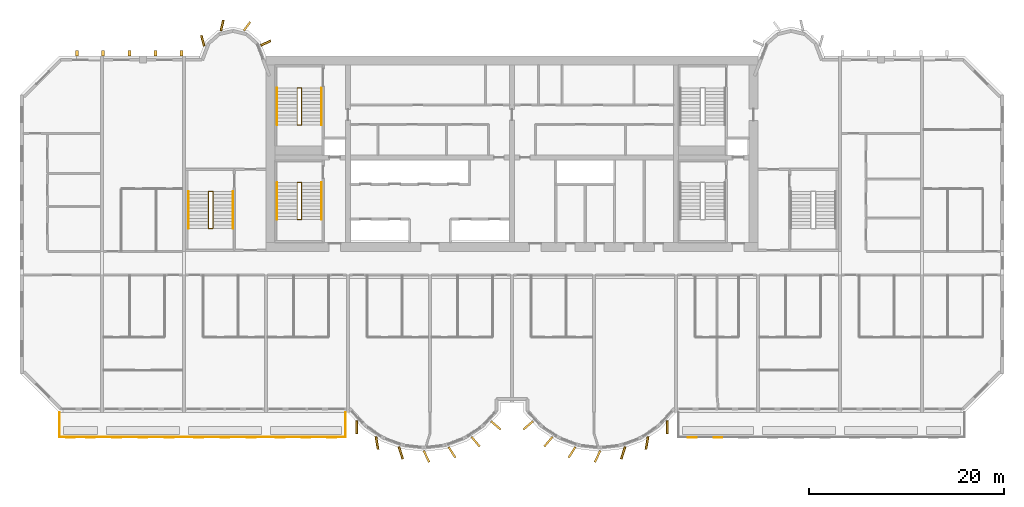
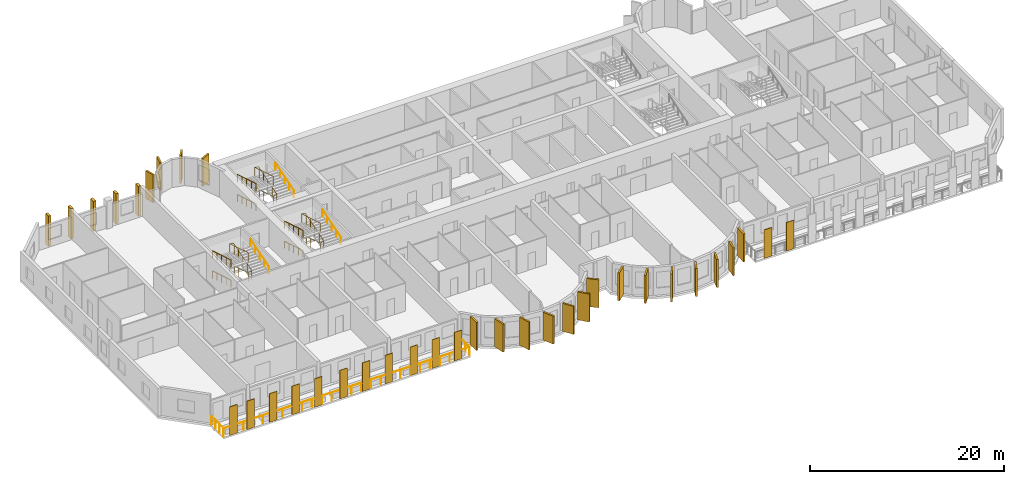
# One storey, part 12 of 14: 36 coverings, 13 railings.
"""IFC4 building model written with IfcOpenShell, lengths in metres."""

from ifc_helpers import new_model, si_unit, direction, frame, origin, origin_2d, place, context, subcontext, project, spatial, rectangle, circle, extrude, source, transform, mapped, material, layer, layer_set, material_profile, profile_set, type_object, element, save


model = new_model("IFC4")

# Units and contexts
model_context = context("Model", 3, precision=1e-05, world=origin(), true_north=direction((0.0, 1.0)))
body_context = subcontext(model_context, "Body", "Model", "MODEL_VIEW")
ifc_project = project(units=[si_unit("LENGTHUNIT", "METRE"), si_unit("AREAUNIT", "SQUARE_METRE"), si_unit("VOLUMEUNIT", "CUBIC_METRE"), si_unit("PLANEANGLEUNIT", "RADIAN"), si_unit("MASSUNIT", "GRAM", prefix="KILO")], contexts=[model_context])

# Site, building, storey
site_placement = place(None, origin())
site = spatial("IfcSite", under=ifc_project, at=site_placement, CompositionType="ELEMENT")
building_placement = place(site_placement, origin())
building = spatial("IfcBuilding", under=site, at=building_placement, Name="Vanashikhar Sky Hotel", CompositionType="ELEMENT")
storey_placement = place(building_placement, frame((0.0, 0.0, 118.0)))
storey = spatial("IfcBuildingStorey", under=building, at=storey_placement, Name="L28", CompositionType="ELEMENT", Elevation=118.0)

# Railing
ifc_material_1 = material(Name="Stainless steel 316", Category="steel")
railing_type_1 = type_object("IfcRailingType", Name="Balcony guard 1100", PredefinedType="GUARDRAIL", material=ifc_material_1)
shared_shape_1 = source(origin(), body_context, "Body", "SweptSolid", [
    extrude(circle(Radius=0.02392578125, at=origin_2d()), frame((0.0, 0.0, 1.076171875), z_axis=(0.0, -1.0, 0.0), x_axis=(1.0, 0.0, 0.0)), (0.0, 0.0, 1.0), 2.5),
    extrude(circle(Radius=0.02392578125, at=origin_2d()), frame((0.0, -2.5, 1.076171875), z_axis=(1.0, 0.0, 0.0), x_axis=(0.0, 1.0, 0.0)), (0.0, 0.0, 1.0), 29.280029296875),
    extrude(circle(Radius=0.02392578125, at=origin_2d()), frame((29.280029296875, -2.5, 1.076171875), z_axis=(0.0, 1.0, 0.0), x_axis=(-1.0, 0.0, 0.0)), (0.0, 0.0, 1.0), 2.5),
    extrude(circle(Radius=0.02099609375, at=origin_2d()), origin(), (0.0, 0.0, 1.0), 1.052001953125),
    extrude(circle(Radius=0.02099609375, at=origin_2d()), frame((0.0, -0.833251953125, 0.0)), (0.0, 0.0, 1.0), 1.052001953125),
    extrude(circle(Radius=0.02099609375, at=origin_2d()), frame((0.0, -1.666748046875, 0.0)), (0.0, 0.0, 1.0), 1.052001953125),
    extrude(circle(Radius=0.02099609375, at=origin_2d()), frame((0.0, -2.5, 0.0)), (0.0, 0.0, 1.0), 1.052001953125),
    extrude(circle(Radius=0.02099609375, at=origin_2d()), frame((1.171142578125, -2.5, 0.0)), (0.0, 0.0, 1.0), 1.052001953125),
    extrude(circle(Radius=0.02099609375, at=origin_2d()), frame((2.34228515625, -2.5, 0.0)), (0.0, 0.0, 1.0), 1.052001953125),
    extrude(circle(Radius=0.02099609375, at=origin_2d()), frame((3.513671875, -2.5, 0.0)), (0.0, 0.0, 1.0), 1.052001953125),
    extrude(circle(Radius=0.02099609375, at=origin_2d()), frame((4.684814453125, -2.5, 0.0)), (0.0, 0.0, 1.0), 1.052001953125),
    extrude(circle(Radius=0.02099609375, at=origin_2d()), frame((5.85595703125, -2.5, 0.0)), (0.0, 0.0, 1.0), 1.052001953125),
    extrude(circle(Radius=0.02099609375, at=origin_2d()), frame((7.027099609375, -2.5, 0.0)), (0.0, 0.0, 1.0), 1.052001953125),
    extrude(circle(Radius=0.02099609375, at=origin_2d()), frame((8.198486328125, -2.5, 0.0)), (0.0, 0.0, 1.0), 1.052001953125),
    extrude(circle(Radius=0.02099609375, at=origin_2d()), frame((9.36962890625, -2.5, 0.0)), (0.0, 0.0, 1.0), 1.052001953125),
    extrude(circle(Radius=0.02099609375, at=origin_2d()), frame((10.540771484375, -2.5, 0.0)), (0.0, 0.0, 1.0), 1.052001953125),
    extrude(circle(Radius=0.02099609375, at=origin_2d()), frame((11.7119140625, -2.5, 0.0)), (0.0, 0.0, 1.0), 1.052001953125),
    extrude(circle(Radius=0.02099609375, at=origin_2d()), frame((12.88330078125, -2.5, 0.0)), (0.0, 0.0, 1.0), 1.052001953125),
    extrude(circle(Radius=0.02099609375, at=origin_2d()), frame((14.054443359375, -2.5, 0.0)), (0.0, 0.0, 1.0), 1.052001953125),
    extrude(circle(Radius=0.02099609375, at=origin_2d()), frame((15.2255859375, -2.5, 0.0)), (0.0, 0.0, 1.0), 1.052001953125),
    extrude(circle(Radius=0.02099609375, at=origin_2d()), frame((16.396728515625, -2.5, 0.0)), (0.0, 0.0, 1.0), 1.052001953125),
    extrude(circle(Radius=0.02099609375, at=origin_2d()), frame((17.568115234375, -2.5, 0.0)), (0.0, 0.0, 1.0), 1.052001953125),
    extrude(circle(Radius=0.02099609375, at=origin_2d()), frame((18.7392578125, -2.5, 0.0)), (0.0, 0.0, 1.0), 1.052001953125),
    extrude(circle(Radius=0.02099609375, at=origin_2d()), frame((19.910400390625, -2.5, 0.0)), (0.0, 0.0, 1.0), 1.052001953125),
    extrude(circle(Radius=0.02099609375, at=origin_2d()), frame((21.08154296875, -2.5, 0.0)), (0.0, 0.0, 1.0), 1.052001953125),
    extrude(circle(Radius=0.02099609375, at=origin_2d()), frame((22.2529296875, -2.5, 0.0)), (0.0, 0.0, 1.0), 1.052001953125),
    extrude(circle(Radius=0.02099609375, at=origin_2d()), frame((23.424072265625, -2.5, 0.0)), (0.0, 0.0, 1.0), 1.052001953125),
    extrude(circle(Radius=0.02099609375, at=origin_2d()), frame((24.59521484375, -2.5, 0.0)), (0.0, 0.0, 1.0), 1.052001953125),
    extrude(circle(Radius=0.02099609375, at=origin_2d()), frame((25.766357421875, -2.5, 0.0)), (0.0, 0.0, 1.0), 1.052001953125),
    extrude(circle(Radius=0.02099609375, at=origin_2d()), frame((26.937744140625, -2.5, 0.0)), (0.0, 0.0, 1.0), 1.052001953125),
    extrude(circle(Radius=0.02099609375, at=origin_2d()), frame((28.10888671875, -2.5, 0.0)), (0.0, 0.0, 1.0), 1.052001953125),
    extrude(circle(Radius=0.02099609375, at=origin_2d()), frame((29.280029296875, -2.5, 0.0)), (0.0, 0.0, 1.0), 1.052001953125),
    extrude(circle(Radius=0.02099609375, at=origin_2d()), frame((29.280029296875, -1.666748046875, 0.0)), (0.0, 0.0, 1.0), 1.052001953125),
    extrude(circle(Radius=0.02099609375, at=origin_2d()), frame((29.280029296875, -0.833251953125, 0.0)), (0.0, 0.0, 1.0), 1.052001953125),
    extrude(circle(Radius=0.02099609375, at=origin_2d()), frame((29.280029296875, 0.0, 0.0)), (0.0, 0.0, 1.0), 1.052001953125),
])
railing_1_placement = place(storey_placement, frame((4.06005859375, 5.5, -0.050048828125)))
element("IfcRailing", 1, at=railing_1_placement, inside=storey, type_object=railing_type_1, Name="Balcony guard", PredefinedType="GUARDRAIL", context=body_context, shape_type="MappedRepresentation", body=[
    mapped(shared_shape_1, transform((0.0, 0.0, 0.0), scale=1.0)),
])

# Coverings
ifc_material_2 = material(Name="Terracotta", Category="masonry")
ifc_layer = layer(ifc_material_2, 0.06005859375)
ifc_layer_set = layer_set([ifc_layer], Name="Terracotta baguette screen")
covering_type_1 = type_object("IfcCoveringType", Name="Terracotta baguette screen", PredefinedType="CLADDING", material=ifc_layer_set)
shared_shape_2 = source(origin(), body_context, "Body", "SweptSolid", [
    extrude(rectangle(XDim=0.89990234375, YDim=0.06005859375, at=origin_2d()), origin(), (0.0, 0.0, 1.0), 3.60009765625),
])
for number, where, z_axis, x_axis, name in (
    (2, (5.175048828125, 2.929931640625, -0.050048828125), (0.0, 0.0, 1.0), (1.0, 0.0, 0.0), "Terracotta screen"),
    (3, (7.22509765625, 2.929931640625, -0.050048828125), (0.0, 0.0, 1.0), (1.0, 0.0, 0.0), "Terracotta screen"),
    (4, (9.89990234375, 2.929931640625, -0.050048828125), (0.0, 0.0, 1.0), (1.0, 0.0, 0.0), "Terracotta screen"),
    (5, (12.60009765625, 2.929931640625, -0.050048828125), (0.0, 0.0, 1.0), (1.0, 0.0, 0.0), "Terracotta screen"),
    (6, (15.300048828125, 2.929931640625, -0.050048828125), (0.0, 0.0, 1.0), (1.0, 0.0, 0.0), "Terracotta screen"),
    (7, (18.300048828125, 2.929931640625, -0.050048828125), (0.0, 0.0, 1.0), (1.0, 0.0, 0.0), "Terracotta screen"),
    (8, (21.0, 2.929931640625, -0.050048828125), (0.0, 0.0, 1.0), (1.0, 0.0, 0.0), "Terracotta screen"),
    (9, (23.699951171875, 2.929931640625, -0.050048828125), (0.0, 0.0, 1.0), (1.0, 0.0, 0.0), "Terracotta screen"),
    (10, (26.666748046875, 2.929931640625, -0.050048828125), (0.0, 0.0, 1.0), (1.0, 0.0, 0.0), "Terracotta screen"),
    (11, (29.300048828125, 2.929931640625, -0.050048828125), (0.0, 0.0, 1.0), (1.0, 0.0, 0.0), "Terracotta screen"),
    (12, (31.933349609375, 2.929931640625, -0.050048828125), (0.0, 0.0, 1.0), (1.0, 0.0, 0.0), "Terracotta screen"),
    (13, (68.86669921875, 2.929931640625, -0.050048828125), (0.0, 0.0, 1.0), (1.0, 0.0, 0.0), "Terracotta screen"),
    (14, (71.5, 2.929931640625, -0.050048828125), (0.0, 0.0, 1.0), (1.0, 0.0, 0.0), "Terracotta screen"),
):
    element("IfcCovering", number, at=place(storey_placement, frame(where, z_axis=z_axis, x_axis=x_axis)), inside=storey, type_object=covering_type_1, Name=name, PredefinedType="CLADDING", context=body_context, shape_type="MappedRepresentation", body=[
        mapped(shared_shape_2, transform((0.0, 0.0, 0.0), scale=1.0)),
    ])
ifc_material_3 = material(Name="Concrete M60 dark", Category="concrete")
ifc_material_profile_1 = material_profile(ifc_material_3, rectangle(XDim=1.300048828125, YDim=0.199951171875, at=origin_2d()))
ifc_profile_set_1 = profile_set([ifc_material_profile_1], Name="Fin 1300 x 200")
covering_type_2 = type_object("IfcCoveringType", Name="Fin 1300 x 200", PredefinedType="CLADDING", material=ifc_profile_set_1)
shared_shape_3 = source(origin(), body_context, "Body", "SweptSolid", [
    extrude(rectangle(XDim=1.300048828125, YDim=0.199951171875, at=origin_2d()), origin(), (0.0, 0.0, 1.0), 3.52001953125),
])
for number, where, z_axis, x_axis, name in (
    (15, (34.482421875, 3.992919921875, 0.0), (0.0, 0.0, 1.0), (0.011588726826, -0.999932848451, 0.0), "Fin F1-1"),
    (16, (36.572509765625, 2.3779296875, 0.0), (0.0, 0.0, 1.0), (0.16989991575, -0.985461322746, 0.0), "Fin F1-2"),
    (17, (39.00830078125, 1.35693359375, 0.0), (0.0, 0.0, 1.0), (0.303966551867, -0.952682704444, 0.0), "Fin F1-3"),
    (18, (41.63232421875, 1.00146484375, 0.0), (0.0, 0.0, 1.0), (0.422618261741, -0.906307787037, 0.0), "Fin F1-4"),
    (19, (44.251953125, 1.416015625, 0.0), (0.0, 0.0, 1.0), (0.534411358496, -0.845224526331, 0.0), "Fin F1-5"),
    (20, (46.676025390625, 2.5, 0.0), (0.0, 0.0, 1.0), (0.645697609467, -0.763593214433, 0.0), "Fin F1-6"),
    (21, (48.7412109375, 4.1845703125, 0.0), (0.0, 0.0, 1.0), (0.758543912032, -0.65162192529, 0.0), "Fin F1-7"),
    (22, (52.058837890625, 4.1845703125, 0.0), (0.0, 0.0, 1.0), (-0.758543912032, -0.65162192529, 0.0), "Fin F2-1"),
    (23, (54.123779296875, 2.5, 0.0), (0.0, 0.0, 1.0), (-0.645697609467, -0.763593214433, 0.0), "Fin F2-2"),
    (24, (56.547119140625, 1.416015625, 0.0), (0.0, 0.0, 1.0), (-0.534411358496, -0.845224526331, 0.0), "Fin F2-3"),
    (25, (59.16748046875, 1.00146484375, 0.0), (0.0, 0.0, 1.0), (-0.422618261741, -0.906307787037, 0.0), "Fin F2-4"),
    (26, (61.790771484375, 1.35693359375, 0.0), (0.0, 0.0, 1.0), (-0.303966551867, -0.952682704444, 0.0), "Fin F2-5"),
    (27, (64.2275390625, 2.3779296875, 0.0), (0.0, 0.0, 1.0), (-0.16989991575, -0.985461322746, 0.0), "Fin F2-6"),
    (28, (66.317626953125, 3.992919921875, 0.0), (0.0, 0.0, 1.0), (-0.011588726826, -0.999932848451, 0.0), "Fin F2-7"),
):
    element("IfcCovering", number, at=place(storey_placement, frame(where, z_axis=z_axis, x_axis=x_axis)), inside=storey, type_object=covering_type_2, Name=name, PredefinedType="CLADDING", context=body_context, shape_type="MappedRepresentation", body=[
        mapped(shared_shape_3, transform((0.0, 0.0, 0.0), scale=1.0)),
    ])
ifc_material_profile_2 = material_profile(ifc_material_3, rectangle(XDim=1.10009765625, YDim=0.199951171875, at=origin_2d()))
ifc_profile_set_2 = profile_set([ifc_material_profile_2], Name="Rear lobe fin 1100 x 200")
covering_type_3 = type_object("IfcCoveringType", Name="Rear lobe fin 1100 x 200", PredefinedType="CLADDING", material=ifc_profile_set_2)
shared_shape_4 = source(origin(), body_context, "Body", "SweptSolid", [
    extrude(rectangle(XDim=1.10009765625, YDim=0.199951171875, at=origin_2d()), origin(), (0.0, 0.0, 1.0), 3.52001953125),
])
for number, where, z_axis, x_axis, name in (
    (29, (18.720703125, 43.580078125, 0.0), (0.0, 0.0, 1.0), (-0.262711264409, 0.964874495234, 0.0), "Fin R1-1"),
    (30, (20.710205078125, 45.1455078125, 0.0), (0.0, 0.0, 1.0), (0.224644935864, 0.974440687159, 0.0), "Fin R1-2"),
    (31, (23.261962890625, 45.06640625, 0.0), (0.0, 0.0, 1.0), (0.602065892195, 0.798446404874, 0.0), "Fin R1-3"),
    (32, (25.169677734375, 43.33447265625, 0.0), (0.0, 0.0, 1.0), (0.908004291068, 0.418960866193, 0.0), "Fin R1-4"),
):
    element("IfcCovering", number, at=place(storey_placement, frame(where, z_axis=z_axis, x_axis=x_axis)), inside=storey, type_object=covering_type_3, Name=name, PredefinedType="CLADDING", context=body_context, shape_type="MappedRepresentation", body=[
        mapped(shared_shape_4, transform((0.0, 0.0, 0.0), scale=1.0)),
    ])
ifc_material_profile_3 = material_profile(ifc_material_3, rectangle(XDim=0.60009765625, YDim=0.300048828125, at=origin_2d()))
ifc_profile_set_3 = profile_set([ifc_material_profile_3], Name="Rear rib 600 x 300")
covering_type_4 = type_object("IfcCoveringType", Name="Rear rib 600 x 300", PredefinedType="CLADDING", material=ifc_profile_set_3)
shared_shape_5 = source(origin(), body_context, "Body", "SweptSolid", [
    extrude(rectangle(XDim=0.60009765625, YDim=0.300048828125, at=origin_2d()), origin(), (0.0, 0.0, 1.0), 3.800048828125),
])
for number, where, z_axis, x_axis, name in (
    (33, (5.840087890625, 42.300048828125, -0.280029296875), (0.0, 0.0, 1.0), (0.0, 1.0, 0.0), "Rear rib"),
    (34, (8.52001953125, 42.300048828125, -0.280029296875), (0.0, 0.0, 1.0), (0.0, 1.0, 0.0), "Rear rib"),
    (35, (11.199951171875, 42.300048828125, -0.280029296875), (0.0, 0.0, 1.0), (0.0, 1.0, 0.0), "Rear rib"),
    (36, (13.8798828125, 42.300048828125, -0.280029296875), (0.0, 0.0, 1.0), (0.0, 1.0, 0.0), "Rear rib"),
    (37, (16.56005859375, 42.300048828125, -0.280029296875), (0.0, 0.0, 1.0), (0.0, 1.0, 0.0), "Rear rib"),
):
    element("IfcCovering", number, at=place(storey_placement, frame(where, z_axis=z_axis, x_axis=x_axis)), inside=storey, type_object=covering_type_4, Name=name, PredefinedType="CLADDING", context=body_context, shape_type="MappedRepresentation", body=[
        mapped(shared_shape_5, transform((0.0, 0.0, 0.0), scale=1.0)),
    ])

# Railings
ifc_material_4 = material(Name="Steel S355", Category="steel")
railing_type_2 = type_object("IfcRailingType", Name="Stair handrail 900", PredefinedType="HANDRAIL", material=ifc_material_4)
shared_shape_6 = source(origin(), body_context, "Body", "SweptSolid", [
    extrude(circle(Radius=0.02392578125, at=origin_2d()), frame((0.0, 0.0, 0.8759765625), z_axis=(0.0, 0.95635109408, 0.292220096591), x_axis=(-1.0, 0.0, 0.0)), (0.0, 0.0, 1.0), 3.973388671875),
    extrude(circle(Radius=0.02099609375, at=origin_2d()), origin(), (0.0, 0.0, 1.0), 0.851806640625),
    extrude(circle(Radius=0.02099609375, at=origin_2d()), frame((0.0, 0.949951171875, 0.290283203125)), (0.0, 0.0, 1.0), 0.851806640625),
    extrude(circle(Radius=0.02099609375, at=origin_2d()), frame((0.0, 1.89990234375, 0.58056640625)), (0.0, 0.0, 1.0), 0.851806640625),
    extrude(circle(Radius=0.02099609375, at=origin_2d()), frame((0.0, 2.85009765625, 0.870849609375)), (0.0, 0.0, 1.0), 0.851806640625),
    extrude(circle(Radius=0.02099609375, at=origin_2d()), frame((0.0, 3.800048828125, 1.1611328125)), (0.0, 0.0, 1.0), 0.851806640625),
])
for number, where, name in (
    (38, (30.89990234375, 25.25, 1.372314453125), "Exit stair 1 handrail"),
    (39, (30.89990234375, 34.949951171875, 1.372314453125), "Exit stair 5 handrail"),
):
    element("IfcRailing", number, at=place(storey_placement, frame(where)), inside=storey, type_object=railing_type_2, Name=name, PredefinedType="HANDRAIL", context=body_context, shape_type="MappedRepresentation", body=[
        mapped(shared_shape_6, transform((0.0, 0.0, 0.0), scale=1.0)),
    ])
shared_shape_7 = source(origin(), body_context, "Body", "SweptSolid", [
    extrude(circle(Radius=0.02392578125, at=origin_2d()), frame((0.0, 0.0, 0.8759765625), z_axis=(0.0, -0.95635109408, 0.292220096591), x_axis=(1.0, 0.0, 0.0)), (0.0, 0.0, 1.0), 3.973388671875),
    extrude(circle(Radius=0.02099609375, at=origin_2d()), origin(), (0.0, 0.0, 1.0), 0.851806640625),
    extrude(circle(Radius=0.02099609375, at=origin_2d()), frame((0.0, -0.949951171875, 0.290283203125)), (0.0, 0.0, 1.0), 0.851806640625),
    extrude(circle(Radius=0.02099609375, at=origin_2d()), frame((0.0, -1.89990234375, 0.58056640625)), (0.0, 0.0, 1.0), 0.851806640625),
    extrude(circle(Radius=0.02099609375, at=origin_2d()), frame((0.0, -2.85009765625, 0.870849609375)), (0.0, 0.0, 1.0), 0.851806640625),
    extrude(circle(Radius=0.02099609375, at=origin_2d()), frame((0.0, -3.800048828125, 1.1611328125)), (0.0, 0.0, 1.0), 0.851806640625),
])
for number, where, name in (
    (40, (26.35009765625, 29.050048828125, 0.10546875), "Exit stair 1 handrail"),
    (41, (26.35009765625, 29.050048828125, 2.638916015625), "Exit stair 1 handrail"),
    (42, (26.35009765625, 38.75, 0.10546875), "Exit stair 5 handrail"),
    (43, (26.35009765625, 38.75, 2.638916015625), "Exit stair 5 handrail"),
):
    element("IfcRailing", number, at=place(storey_placement, frame(where)), inside=storey, type_object=railing_type_2, Name=name, PredefinedType="HANDRAIL", context=body_context, shape_type="MappedRepresentation", body=[
        mapped(shared_shape_7, transform((0.0, 0.0, 0.0), scale=1.0)),
    ])
railing_type_3 = type_object("IfcRailingType", Name="Stair guard 1100", PredefinedType="GUARDRAIL", material=ifc_material_4)
shared_shape_8 = source(origin(), body_context, "Body", "SweptSolid", [
    extrude(circle(Radius=0.02392578125, at=origin_2d()), frame((0.0, 0.0, 1.076171875), z_axis=(-0.973638301096, 0.0, 0.228097476179), x_axis=(0.0, -1.0, 0.0)), (0.0, 0.0, 1.0), 0.46240234375),
    extrude(circle(Radius=0.02392578125, at=origin_2d()), frame((-0.4501953125, 0.0, 1.181640625), z_axis=(0.0, -0.95635109408, 0.292220096591), x_axis=(1.0, 0.0, 0.0)), (0.0, 0.0, 1.0), 3.973388671875),
    extrude(circle(Radius=0.02392578125, at=origin_2d()), frame((-0.4501953125, -3.800048828125, 2.3427734375), z_axis=(0.973520925263, 0.0, 0.228597917917), x_axis=(0.0, 1.0, 0.0)), (0.0, 0.0, 1.0), 0.46240234375),
    extrude(circle(Radius=0.02392578125, at=origin_2d()), frame((0.0, -3.800048828125, 2.4482421875), z_axis=(0.0, 0.95635109408, 0.292220096591), x_axis=(-1.0, 0.0, 0.0)), (0.0, 0.0, 1.0), 3.973388671875),
    extrude(circle(Radius=0.02392578125, at=origin_2d()), frame((0.0, 0.0, 3.609375), z_axis=(-0.973638301096, 0.0, 0.228097476179), x_axis=(0.0, -1.0, 0.0)), (0.0, 0.0, 1.0), 0.46240234375),
    extrude(circle(Radius=0.02392578125, at=origin_2d()), frame((-0.4501953125, 0.0, 3.71484375), z_axis=(0.0, -0.95635109408, 0.292220096591), x_axis=(1.0, 0.0, 0.0)), (0.0, 0.0, 1.0), 3.973388671875),
    extrude(circle(Radius=0.02099609375, at=origin_2d()), origin(), (0.0, 0.0, 1.0), 1.052001953125),
    extrude(circle(Radius=0.02099609375, at=origin_2d()), frame((-0.4501953125, 0.0, 0.10546875)), (0.0, 0.0, 1.0), 1.052001953125),
    extrude(circle(Radius=0.02099609375, at=origin_2d()), frame((-0.4501953125, -0.949951171875, 0.395751953125)), (0.0, 0.0, 1.0), 1.052001953125),
    extrude(circle(Radius=0.02099609375, at=origin_2d()), frame((-0.4501953125, -1.89990234375, 0.68603515625)), (0.0, 0.0, 1.0), 1.052001953125),
    extrude(circle(Radius=0.02099609375, at=origin_2d()), frame((-0.4501953125, -2.85009765625, 0.976318359375)), (0.0, 0.0, 1.0), 1.052001953125),
    extrude(circle(Radius=0.02099609375, at=origin_2d()), frame((-0.4501953125, -3.800048828125, 1.2666015625)), (0.0, 0.0, 1.0), 1.052001953125),
    extrude(circle(Radius=0.02099609375, at=origin_2d()), frame((0.0, -3.800048828125, 1.372314453125)), (0.0, 0.0, 1.0), 1.052001953125),
    extrude(circle(Radius=0.02099609375, at=origin_2d()), frame((0.0, -2.85009765625, 1.66259765625)), (0.0, 0.0, 1.0), 1.052001953125),
    extrude(circle(Radius=0.02099609375, at=origin_2d()), frame((0.0, -1.89990234375, 1.952880859375)), (0.0, 0.0, 1.0), 1.052001953125),
    extrude(circle(Radius=0.02099609375, at=origin_2d()), frame((0.0, -0.949951171875, 2.2431640625)), (0.0, 0.0, 1.0), 1.052001953125),
    extrude(circle(Radius=0.02099609375, at=origin_2d()), frame((0.0, 0.0, 2.533447265625)), (0.0, 0.0, 1.0), 1.052001953125),
    extrude(circle(Radius=0.02099609375, at=origin_2d()), frame((-0.4501953125, 0.0, 2.638916015625)), (0.0, 0.0, 1.0), 1.052001953125),
    extrude(circle(Radius=0.02099609375, at=origin_2d()), frame((-0.4501953125, -0.949951171875, 2.92919921875)), (0.0, 0.0, 1.0), 1.052001953125),
    extrude(circle(Radius=0.02099609375, at=origin_2d()), frame((-0.4501953125, -1.89990234375, 3.219482421875)), (0.0, 0.0, 1.0), 1.052001953125),
    extrude(circle(Radius=0.02099609375, at=origin_2d()), frame((-0.4501953125, -2.85009765625, 3.509765625)), (0.0, 0.0, 1.0), 1.052001953125),
    extrude(circle(Radius=0.02099609375, at=origin_2d()), frame((-0.4501953125, -3.800048828125, 3.800048828125)), (0.0, 0.0, 1.0), 1.052001953125),
])
for number, where, name in (
    (44, (28.85009765625, 29.050048828125, 0.0), "Exit stair 1 guard"),
    (45, (28.85009765625, 38.75, 0.0), "Exit stair 5 guard"),
):
    element("IfcRailing", number, at=place(storey_placement, frame(where)), inside=storey, type_object=railing_type_3, Name=name, PredefinedType="GUARDRAIL", context=body_context, shape_type="MappedRepresentation", body=[
        mapped(shared_shape_8, transform((0.0, 0.0, 0.0), scale=1.0)),
    ])
shared_shape_9 = source(origin(), body_context, "Body", "SweptSolid", [
    extrude(circle(Radius=0.02392578125, at=origin_2d()), frame((0.0, 0.0, 0.8759765625), z_axis=(0.0, 0.956345846891, 0.292237268557), x_axis=(-1.0, 0.0, 0.0)), (0.0, 0.0, 1.0), 3.97314453125),
    extrude(circle(Radius=0.02099609375, at=origin_2d()), origin(), (0.0, 0.0, 1.0), 0.851806640625),
    extrude(circle(Radius=0.02099609375, at=origin_2d()), frame((0.0, 0.949951171875, 0.290283203125)), (0.0, 0.0, 1.0), 0.851806640625),
    extrude(circle(Radius=0.02099609375, at=origin_2d()), frame((0.0, 1.89990234375, 0.58056640625)), (0.0, 0.0, 1.0), 0.851806640625),
    extrude(circle(Radius=0.02099609375, at=origin_2d()), frame((0.0, 2.849853515625, 0.870849609375)), (0.0, 0.0, 1.0), 0.851806640625),
    extrude(circle(Radius=0.02099609375, at=origin_2d()), frame((0.0, 3.7998046875, 1.1611328125)), (0.0, 0.0, 1.0), 0.851806640625),
])
railing_2_placement = place(storey_placement, frame((21.800048828125, 24.35009765625, 1.372314453125)))
element("IfcRailing", 46, at=railing_2_placement, inside=storey, type_object=railing_type_2, Name="Exit stair 3 handrail", PredefinedType="HANDRAIL", context=body_context, shape_type="MappedRepresentation", body=[
    mapped(shared_shape_9, transform((0.0, 0.0, 0.0), scale=1.0)),
])
shared_shape_10 = source(origin(), body_context, "Body", "SweptSolid", [
    extrude(circle(Radius=0.02392578125, at=origin_2d()), frame((0.0, 0.0, 0.8759765625), z_axis=(0.0, -0.956345846891, 0.292237268557), x_axis=(1.0, 0.0, 0.0)), (0.0, 0.0, 1.0), 3.97314453125),
    extrude(circle(Radius=0.02099609375, at=origin_2d()), origin(), (0.0, 0.0, 1.0), 0.851806640625),
    extrude(circle(Radius=0.02099609375, at=origin_2d()), frame((0.0, -0.949951171875, 0.290283203125)), (0.0, 0.0, 1.0), 0.851806640625),
    extrude(circle(Radius=0.02099609375, at=origin_2d()), frame((0.0, -1.89990234375, 0.58056640625)), (0.0, 0.0, 1.0), 0.851806640625),
    extrude(circle(Radius=0.02099609375, at=origin_2d()), frame((0.0, -2.849853515625, 0.870849609375)), (0.0, 0.0, 1.0), 0.851806640625),
    extrude(circle(Radius=0.02099609375, at=origin_2d()), frame((0.0, -3.7998046875, 1.1611328125)), (0.0, 0.0, 1.0), 0.851806640625),
])
for number, where, name in (
    (47, (17.25, 28.14990234375, 0.10546875), "Exit stair 3 handrail"),
    (48, (17.25, 28.14990234375, 2.638916015625), "Exit stair 3 handrail"),
):
    element("IfcRailing", number, at=place(storey_placement, frame(where)), inside=storey, type_object=railing_type_2, Name=name, PredefinedType="HANDRAIL", context=body_context, shape_type="MappedRepresentation", body=[
        mapped(shared_shape_10, transform((0.0, 0.0, 0.0), scale=1.0)),
    ])
shared_shape_11 = source(origin(), body_context, "Body", "SweptSolid", [
    extrude(circle(Radius=0.02392578125, at=origin_2d()), frame((0.0, 0.0, 1.076171875), z_axis=(-0.973610808694, 0.0, 0.228214796178), x_axis=(0.0, -1.0, 0.0)), (0.0, 0.0, 1.0), 0.462158203125),
    extrude(circle(Radius=0.02392578125, at=origin_2d()), frame((-0.449951171875, 0.0, 1.181640625), z_axis=(0.0, -0.956345846891, 0.292237268557), x_axis=(1.0, 0.0, 0.0)), (0.0, 0.0, 1.0), 3.97314453125),
    extrude(circle(Radius=0.02392578125, at=origin_2d()), frame((-0.449951171875, -3.7998046875, 2.3427734375), z_axis=(0.973493315427, 0.0, 0.228715466945), x_axis=(0.0, 1.0, 0.0)), (0.0, 0.0, 1.0), 0.462158203125),
    extrude(circle(Radius=0.02392578125, at=origin_2d()), frame((0.0, -3.7998046875, 2.4482421875), z_axis=(0.0, 0.956345846891, 0.292237268557), x_axis=(-1.0, 0.0, 0.0)), (0.0, 0.0, 1.0), 3.97314453125),
    extrude(circle(Radius=0.02392578125, at=origin_2d()), frame((0.0, 0.0, 3.609375), z_axis=(-0.973610808694, 0.0, 0.228214796178), x_axis=(0.0, -1.0, 0.0)), (0.0, 0.0, 1.0), 0.462158203125),
    extrude(circle(Radius=0.02392578125, at=origin_2d()), frame((-0.449951171875, 0.0, 3.71484375), z_axis=(0.0, -0.956345846891, 0.292237268557), x_axis=(1.0, 0.0, 0.0)), (0.0, 0.0, 1.0), 3.97314453125),
    extrude(circle(Radius=0.02099609375, at=origin_2d()), origin(), (0.0, 0.0, 1.0), 1.052001953125),
    extrude(circle(Radius=0.02099609375, at=origin_2d()), frame((-0.449951171875, 0.0, 0.10546875)), (0.0, 0.0, 1.0), 1.052001953125),
    extrude(circle(Radius=0.02099609375, at=origin_2d()), frame((-0.449951171875, -0.949951171875, 0.395751953125)), (0.0, 0.0, 1.0), 1.052001953125),
    extrude(circle(Radius=0.02099609375, at=origin_2d()), frame((-0.449951171875, -1.89990234375, 0.68603515625)), (0.0, 0.0, 1.0), 1.052001953125),
    extrude(circle(Radius=0.02099609375, at=origin_2d()), frame((-0.449951171875, -2.849853515625, 0.976318359375)), (0.0, 0.0, 1.0), 1.052001953125),
    extrude(circle(Radius=0.02099609375, at=origin_2d()), frame((-0.449951171875, -3.7998046875, 1.2666015625)), (0.0, 0.0, 1.0), 1.052001953125),
    extrude(circle(Radius=0.02099609375, at=origin_2d()), frame((0.0, -3.7998046875, 1.372314453125)), (0.0, 0.0, 1.0), 1.052001953125),
    extrude(circle(Radius=0.02099609375, at=origin_2d()), frame((0.0, -2.849853515625, 1.66259765625)), (0.0, 0.0, 1.0), 1.052001953125),
    extrude(circle(Radius=0.02099609375, at=origin_2d()), frame((0.0, -1.89990234375, 1.952880859375)), (0.0, 0.0, 1.0), 1.052001953125),
    extrude(circle(Radius=0.02099609375, at=origin_2d()), frame((0.0, -0.949951171875, 2.2431640625)), (0.0, 0.0, 1.0), 1.052001953125),
    extrude(circle(Radius=0.02099609375, at=origin_2d()), frame((0.0, 0.0, 2.533447265625)), (0.0, 0.0, 1.0), 1.052001953125),
    extrude(circle(Radius=0.02099609375, at=origin_2d()), frame((-0.449951171875, 0.0, 2.638916015625)), (0.0, 0.0, 1.0), 1.052001953125),
    extrude(circle(Radius=0.02099609375, at=origin_2d()), frame((-0.449951171875, -0.949951171875, 2.92919921875)), (0.0, 0.0, 1.0), 1.052001953125),
    extrude(circle(Radius=0.02099609375, at=origin_2d()), frame((-0.449951171875, -1.89990234375, 3.219482421875)), (0.0, 0.0, 1.0), 1.052001953125),
    extrude(circle(Radius=0.02099609375, at=origin_2d()), frame((-0.449951171875, -2.849853515625, 3.509765625)), (0.0, 0.0, 1.0), 1.052001953125),
    extrude(circle(Radius=0.02099609375, at=origin_2d()), frame((-0.449951171875, -3.7998046875, 3.800048828125)), (0.0, 0.0, 1.0), 1.052001953125),
])
railing_3_placement = place(storey_placement, frame((19.75, 28.14990234375, 0.0)))
element("IfcRailing", 49, at=railing_3_placement, inside=storey, type_object=railing_type_3, Name="Exit stair 3 guard", PredefinedType="GUARDRAIL", context=body_context, shape_type="MappedRepresentation", body=[
    mapped(shared_shape_11, transform((0.0, 0.0, 0.0), scale=1.0)),
])

save(model, "model.ifc")
